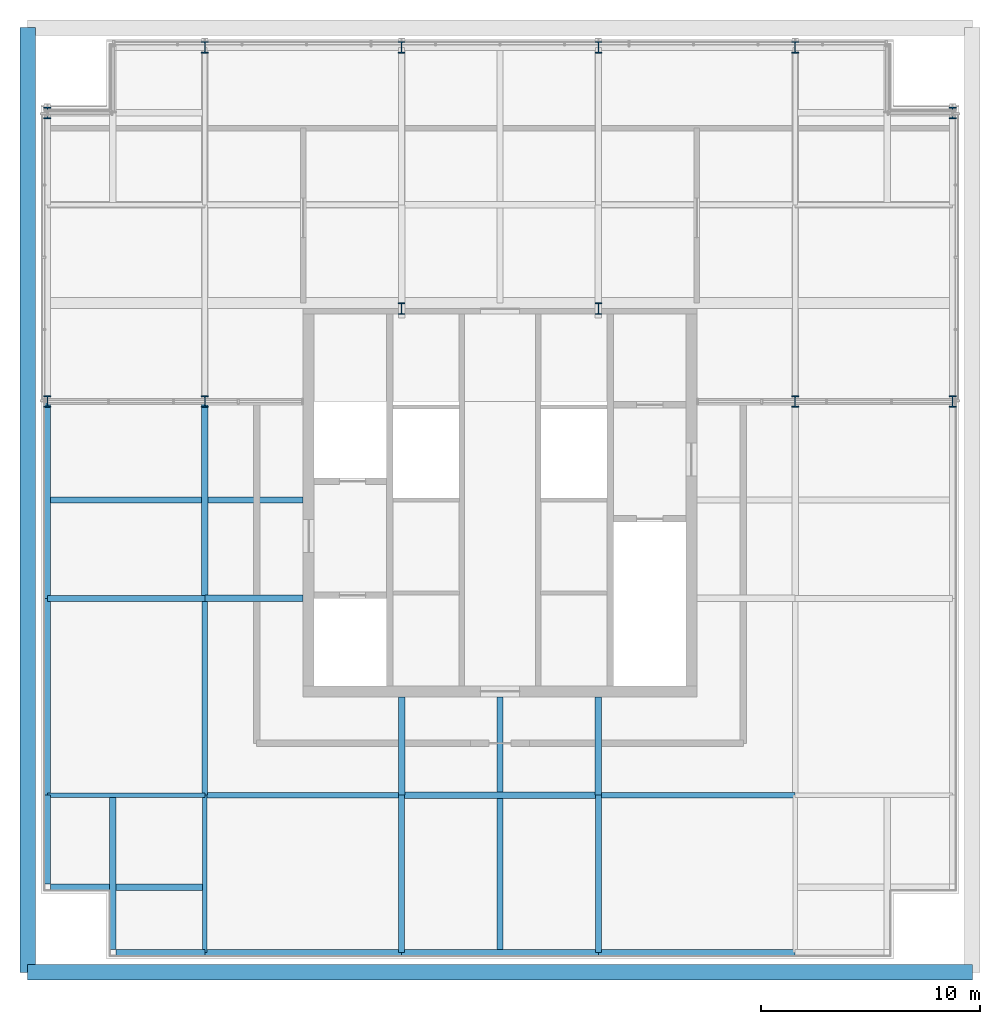
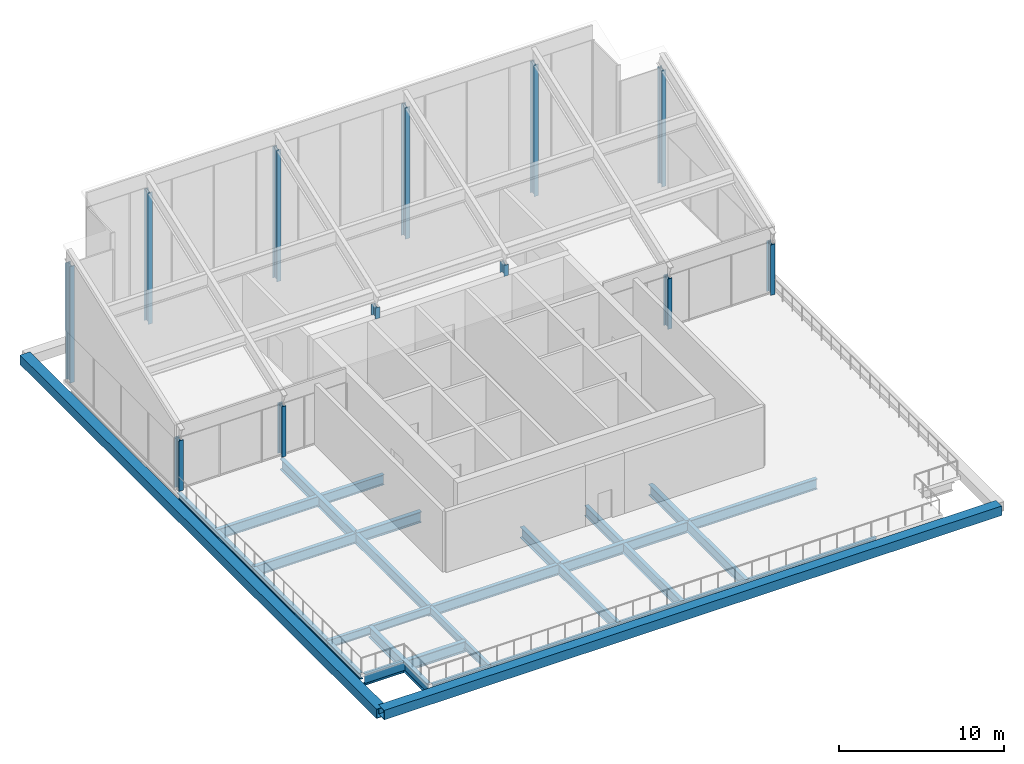
# One storey, part 1 of 10: 24 beams, 12 columns, 2 members.
"""IFC4 building model written with IfcOpenShell, lengths in metres."""

from ifc_helpers import new_model, si_unit, direction, frame, origin, origin_2d, place, context, subcontext, project, spatial, hollow_rectangle, i_section, extrude, material, material_profile, profile_set, type_object, element, save


model = new_model("IFC4")

# Units and contexts
model_context = context("Model", 3, precision=1e-05, world=origin(), true_north=direction((0.0, 1.0)))
body_context = subcontext(model_context, "Body", "Model", "MODEL_VIEW")
ifc_project = project(units=[si_unit("LENGTHUNIT", "METRE"), si_unit("AREAUNIT", "SQUARE_METRE"), si_unit("VOLUMEUNIT", "CUBIC_METRE"), si_unit("PLANEANGLEUNIT", "RADIAN"), si_unit("MASSUNIT", "GRAM", prefix="KILO")], contexts=[model_context])

# Site, building, storey
site_placement = place(None, origin())
site = spatial("IfcSite", under=ifc_project, at=site_placement, CompositionType="ELEMENT")
building_placement = place(site_placement, origin())
building = spatial("IfcBuilding", under=site, at=building_placement, Name="Malebo Sky Hospital", CompositionType="ELEMENT")
storey_placement = place(building_placement, frame((0.0, 0.0, 290.0)))
storey = spatial("IfcBuildingStorey", under=building, at=storey_placement, Name="RF", CompositionType="ELEMENT", Elevation=290.0)

# Columns
ifc_material_1 = material(Name="Steel S355", Category="steel")
ifc_material_profile_1 = material_profile(ifc_material_1, i_section(OverallWidth=0.305908203125, OverallDepth=0.52392578125, WebThickness=0.02099609375, FlangeThickness=0.0400390625, FilletRadius=0.027099609375, at=origin_2d()), Name="HEM 500")
ifc_profile_set_1 = profile_set([ifc_material_profile_1], Name="Steel S355")
column_type = type_object("IfcColumnType", Name="CROWN POST HEM 500", PredefinedType="COLUMN", material=ifc_profile_set_1)
column_1_placement = place(storey_placement, frame((39.300048828125, 66.5, 0.0), z_axis=(0.0, 0.0, 1.0), x_axis=(1.0, 0.0, 0.0)))
element("IfcColumn", 1, at=column_1_placement, inside=storey, type_object=column_type, Name="Crown post -20.7/+4.5", PredefinedType="COLUMN", context=body_context, shape_type="SweptSolid", body=[
    extrude(i_section(OverallWidth=0.305908203125, OverallDepth=0.52392578125, WebThickness=0.02099609375, FlangeThickness=0.0400390625, FilletRadius=0.027099609375, at=origin_2d()), origin(), (0.0, 0.0, 1.0), 3.730224609375),
])
column_2_placement = place(storey_placement, frame((39.300048828125, 79.699951171875, 0.0), z_axis=(0.0, 0.0, 1.0), x_axis=(1.0, 0.0, 0.0)))
element("IfcColumn", 2, at=column_2_placement, inside=storey, type_object=column_type, Name="Crown post -20.7/+17.7", PredefinedType="COLUMN", context=body_context, shape_type="SweptSolid", body=[
    extrude(i_section(OverallWidth=0.305908203125, OverallDepth=0.52392578125, WebThickness=0.02099609375, FlangeThickness=0.0400390625, FilletRadius=0.027099609375, at=origin_2d()), origin(), (0.0, 0.0, 1.0), 8.619140625),
])
column_3_placement = place(storey_placement, frame((80.699951171875, 66.5, 0.0), z_axis=(0.0, 0.0, 1.0), x_axis=(1.0, 0.0, 0.0)))
element("IfcColumn", 3, at=column_3_placement, inside=storey, type_object=column_type, Name="Crown post +20.7/+4.5", PredefinedType="COLUMN", context=body_context, shape_type="SweptSolid", body=[
    extrude(i_section(OverallWidth=0.305908203125, OverallDepth=0.52392578125, WebThickness=0.02099609375, FlangeThickness=0.0400390625, FilletRadius=0.027099609375, at=origin_2d()), origin(), (0.0, 0.0, 1.0), 3.730224609375),
])
column_4_placement = place(storey_placement, frame((80.699951171875, 79.699951171875, 0.0), z_axis=(0.0, 0.0, 1.0), x_axis=(1.0, 0.0, 0.0)))
element("IfcColumn", 4, at=column_4_placement, inside=storey, type_object=column_type, Name="Crown post +20.7/+17.7", PredefinedType="COLUMN", context=body_context, shape_type="SweptSolid", body=[
    extrude(i_section(OverallWidth=0.305908203125, OverallDepth=0.52392578125, WebThickness=0.02099609375, FlangeThickness=0.0400390625, FilletRadius=0.027099609375, at=origin_2d()), origin(), (0.0, 0.0, 1.0), 8.619140625),
])
column_5_placement = place(storey_placement, frame((46.5, 66.5, 0.0), z_axis=(0.0, 0.0, 1.0), x_axis=(1.0, 0.0, 0.0)))
element("IfcColumn", 5, at=column_5_placement, inside=storey, type_object=column_type, Name="Crown post -13.5/+4.5", PredefinedType="COLUMN", context=body_context, shape_type="SweptSolid", body=[
    extrude(i_section(OverallWidth=0.305908203125, OverallDepth=0.52392578125, WebThickness=0.02099609375, FlangeThickness=0.0400390625, FilletRadius=0.027099609375, at=origin_2d()), origin(), (0.0, 0.0, 1.0), 3.730224609375),
])
column_6_placement = place(storey_placement, frame((46.5, 82.699951171875, 0.0), z_axis=(0.0, 0.0, 1.0), x_axis=(1.0, 0.0, 0.0)))
element("IfcColumn", 6, at=column_6_placement, inside=storey, type_object=column_type, Name="Crown post -13.5/+20.7", PredefinedType="COLUMN", context=body_context, shape_type="SweptSolid", body=[
    extrude(i_section(OverallWidth=0.305908203125, OverallDepth=0.52392578125, WebThickness=0.02099609375, FlangeThickness=0.0400390625, FilletRadius=0.027099609375, at=origin_2d()), origin(), (0.0, 0.0, 1.0), 9.730224609375),
])
column_7_placement = place(storey_placement, frame((73.5, 66.5, 0.0), z_axis=(0.0, 0.0, 1.0), x_axis=(1.0, 0.0, 0.0)))
element("IfcColumn", 7, at=column_7_placement, inside=storey, type_object=column_type, Name="Crown post +13.5/+4.5", PredefinedType="COLUMN", context=body_context, shape_type="SweptSolid", body=[
    extrude(i_section(OverallWidth=0.305908203125, OverallDepth=0.52392578125, WebThickness=0.02099609375, FlangeThickness=0.0400390625, FilletRadius=0.027099609375, at=origin_2d()), origin(), (0.0, 0.0, 1.0), 3.730224609375),
])
column_8_placement = place(storey_placement, frame((73.5, 82.699951171875, 0.0), z_axis=(0.0, 0.0, 1.0), x_axis=(1.0, 0.0, 0.0)))
element("IfcColumn", 8, at=column_8_placement, inside=storey, type_object=column_type, Name="Crown post +13.5/+20.7", PredefinedType="COLUMN", context=body_context, shape_type="SweptSolid", body=[
    extrude(i_section(OverallWidth=0.305908203125, OverallDepth=0.52392578125, WebThickness=0.02099609375, FlangeThickness=0.0400390625, FilletRadius=0.027099609375, at=origin_2d()), origin(), (0.0, 0.0, 1.0), 9.730224609375),
])
column_9_placement = place(storey_placement, frame((55.5, 70.75, 4.5), z_axis=(0.0, 0.0, 1.0), x_axis=(1.0, 0.0, 0.0)))
element("IfcColumn", 9, at=column_9_placement, inside=storey, type_object=column_type, Name="Crown post -4.5/+8.8", PredefinedType="COLUMN", context=body_context, shape_type="SweptSolid", body=[
    extrude(i_section(OverallWidth=0.305908203125, OverallDepth=0.52392578125, WebThickness=0.02099609375, FlangeThickness=0.0400390625, FilletRadius=0.027099609375, at=origin_2d()), origin(), (0.0, 0.0, 1.0), 0.804443359375),
])
column_10_placement = place(storey_placement, frame((55.5, 82.699951171875, 0.0), z_axis=(0.0, 0.0, 1.0), x_axis=(1.0, 0.0, 0.0)))
element("IfcColumn", 10, at=column_10_placement, inside=storey, type_object=column_type, Name="Crown post -4.5/+20.7", PredefinedType="COLUMN", context=body_context, shape_type="SweptSolid", body=[
    extrude(i_section(OverallWidth=0.305908203125, OverallDepth=0.52392578125, WebThickness=0.02099609375, FlangeThickness=0.0400390625, FilletRadius=0.027099609375, at=origin_2d()), origin(), (0.0, 0.0, 1.0), 9.730224609375),
])
column_11_placement = place(storey_placement, frame((64.5, 70.75, 4.5), z_axis=(0.0, 0.0, 1.0), x_axis=(1.0, 0.0, 0.0)))
element("IfcColumn", 11, at=column_11_placement, inside=storey, type_object=column_type, Name="Crown post +4.5/+8.8", PredefinedType="COLUMN", context=body_context, shape_type="SweptSolid", body=[
    extrude(i_section(OverallWidth=0.305908203125, OverallDepth=0.52392578125, WebThickness=0.02099609375, FlangeThickness=0.0400390625, FilletRadius=0.027099609375, at=origin_2d()), origin(), (0.0, 0.0, 1.0), 0.804443359375),
])
column_12_placement = place(storey_placement, frame((64.5, 82.699951171875, 0.0), z_axis=(0.0, 0.0, 1.0), x_axis=(1.0, 0.0, 0.0)))
element("IfcColumn", 12, at=column_12_placement, inside=storey, type_object=column_type, Name="Crown post +4.5/+20.7", PredefinedType="COLUMN", context=body_context, shape_type="SweptSolid", body=[
    extrude(i_section(OverallWidth=0.305908203125, OverallDepth=0.52392578125, WebThickness=0.02099609375, FlangeThickness=0.0400390625, FilletRadius=0.027099609375, at=origin_2d()), origin(), (0.0, 0.0, 1.0), 9.730224609375),
])

# Beams
ifc_material_profile_2 = material_profile(ifc_material_1, i_section(OverallWidth=0.300048828125, OverallDepth=0.489990234375, WebThickness=0.011962890625, FlangeThickness=0.02294921875, FilletRadius=0.027099609375, at=origin_2d()), Name="HEA 500")
ifc_profile_set_2 = profile_set([ifc_material_profile_2], Name="Steel S355")
beam_type_1 = type_object("IfcBeamType", Name="EDGE BEAM HEA 500", PredefinedType="BEAM", material=ifc_profile_set_2)
beam_1_placement = place(storey_placement, frame((39.300048828125, 44.449951171875, -0.4951171875), z_axis=(0.0, 1.0, 0.0), x_axis=(-1.0, 0.0, 0.0)))
element("IfcBeam", 13, at=beam_1_placement, inside=storey, type_object=beam_type_1, Name="Beam 000 RF", PredefinedType="BEAM", context=body_context, shape_type="SweptSolid", body=[
    extrude(i_section(OverallWidth=0.300048828125, OverallDepth=0.489990234375, WebThickness=0.011962890625, FlangeThickness=0.02294921875, FilletRadius=0.027099609375, at=origin_2d()), origin(), (0.0, 0.0, 1.0), 4.050048828125),
])
for number, where, z_axis, x_axis, name in (
    (14, (39.300048828125, 48.5, -0.4951171875), (0.0, 1.0, 0.0), (-1.0, 0.0, 0.0), "Beam 001 RF"),
    (15, (39.300048828125, 57.5, -0.4951171875), (0.0, 1.0, 0.0), (-1.0, 0.0, 0.0), "Beam 002 RF"),
):
    element("IfcBeam", number, at=place(storey_placement, frame(where, z_axis=z_axis, x_axis=x_axis)), inside=storey, type_object=beam_type_1, Name=name, PredefinedType="BEAM", context=body_context, shape_type="SweptSolid", body=[
        extrude(i_section(OverallWidth=0.300048828125, OverallDepth=0.489990234375, WebThickness=0.011962890625, FlangeThickness=0.02294921875, FilletRadius=0.027099609375, at=origin_2d()), origin(), (0.0, 0.0, 1.0), 9.0),
    ])
beam_2_placement = place(storey_placement, frame((42.449951171875, 41.300048828125, -0.4951171875), z_axis=(1.0, 0.0, 0.0), x_axis=(0.0, 1.0, 0.0)))
element("IfcBeam", 16, at=beam_2_placement, inside=storey, type_object=beam_type_1, Name="Beam 034 RF", PredefinedType="BEAM", context=body_context, shape_type="SweptSolid", body=[
    extrude(i_section(OverallWidth=0.300048828125, OverallDepth=0.489990234375, WebThickness=0.011962890625, FlangeThickness=0.02294921875, FilletRadius=0.027099609375, at=origin_2d()), origin(), (0.0, 0.0, 1.0), 4.050048828125),
])
for number, where, z_axis, x_axis, name in (
    (17, (46.5, 41.300048828125, -0.4951171875), (1.0, 0.0, 0.0), (0.0, 1.0, 0.0), "Beam 035 RF"),
    (18, (55.5, 41.300048828125, -0.4951171875), (1.0, 0.0, 0.0), (0.0, 1.0, 0.0), "Beam 036 RF"),
    (19, (64.5, 41.300048828125, -0.4951171875), (1.0, 0.0, 0.0), (0.0, 1.0, 0.0), "Beam 037 RF"),
):
    element("IfcBeam", number, at=place(storey_placement, frame(where, z_axis=z_axis, x_axis=x_axis)), inside=storey, type_object=beam_type_1, Name=name, PredefinedType="BEAM", context=body_context, shape_type="SweptSolid", body=[
        extrude(i_section(OverallWidth=0.300048828125, OverallDepth=0.489990234375, WebThickness=0.011962890625, FlangeThickness=0.02294921875, FilletRadius=0.027099609375, at=origin_2d()), origin(), (0.0, 0.0, 1.0), 9.0),
    ])
ifc_material_profile_3 = material_profile(ifc_material_1, i_section(OverallWidth=0.300048828125, OverallDepth=0.800048828125, WebThickness=0.017578125, FlangeThickness=0.032958984375, FilletRadius=0.030029296875, at=origin_2d()), Name="HEB 800")
ifc_profile_set_3 = profile_set([ifc_material_profile_3], Name="Steel S355")
beam_type_2 = type_object("IfcBeamType", Name="FLOOR BEAM HEB 800", PredefinedType="BEAM", material=ifc_profile_set_3)
beam_3_placement = place(storey_placement, frame((42.300048828125, 41.449951171875, -0.64990234375), z_axis=(0.0, 1.0, 0.0), x_axis=(-1.0, 0.0, 0.0)))
element("IfcBeam", 20, at=beam_3_placement, inside=storey, type_object=beam_type_2, Name="Beam 005 RF", PredefinedType="BEAM", context=body_context, shape_type="SweptSolid", body=[
    extrude(i_section(OverallWidth=0.300048828125, OverallDepth=0.800048828125, WebThickness=0.017578125, FlangeThickness=0.032958984375, FilletRadius=0.030029296875, at=origin_2d()), origin(), (0.0, 0.0, 1.0), 7.050048828125),
])
for number, where, z_axis, x_axis, name in (
    (21, (55.5, 48.5, -0.64990234375), (0.0, 1.0, 0.0), (-1.0, 0.0, 0.0), "Beam 013 RF"),
    (22, (64.5, 48.5, -0.64990234375), (0.0, 1.0, 0.0), (-1.0, 0.0, 0.0), "Beam 019 RF"),
):
    element("IfcBeam", number, at=place(storey_placement, frame(where, z_axis=z_axis, x_axis=x_axis)), inside=storey, type_object=beam_type_2, Name=name, PredefinedType="BEAM", context=body_context, shape_type="SweptSolid", body=[
        extrude(i_section(OverallWidth=0.300048828125, OverallDepth=0.800048828125, WebThickness=0.017578125, FlangeThickness=0.032958984375, FilletRadius=0.030029296875, at=origin_2d()), origin(), (0.0, 0.0, 1.0), 4.5),
    ])
beam_4_placement = place(storey_placement, frame((39.449951171875, 44.300048828125, -0.64990234375), z_axis=(1.0, 0.0, 0.0), x_axis=(0.0, 1.0, 0.0)))
element("IfcBeam", 23, at=beam_4_placement, inside=storey, type_object=beam_type_2, Name="Beam 039 RF", PredefinedType="BEAM", context=body_context, shape_type="SweptSolid", body=[
    extrude(i_section(OverallWidth=0.300048828125, OverallDepth=0.800048828125, WebThickness=0.017578125, FlangeThickness=0.032958984375, FilletRadius=0.030029296875, at=origin_2d()), origin(), (0.0, 0.0, 1.0), 7.050048828125),
])
beam_5_placement = place(storey_placement, frame((46.5, 57.5, -0.64990234375), z_axis=(1.0, 0.0, 0.0), x_axis=(0.0, 1.0, 0.0)))
element("IfcBeam", 24, at=beam_5_placement, inside=storey, type_object=beam_type_2, Name="Beam 047 RF", PredefinedType="BEAM", context=body_context, shape_type="SweptSolid", body=[
    extrude(i_section(OverallWidth=0.300048828125, OverallDepth=0.800048828125, WebThickness=0.017578125, FlangeThickness=0.032958984375, FilletRadius=0.030029296875, at=origin_2d()), origin(), (0.0, 0.0, 1.0), 4.5),
])
ifc_material_profile_4 = material_profile(ifc_material_1, i_section(OverallWidth=0.262939453125, OverallDepth=0.7529296875, WebThickness=0.011474609375, FlangeThickness=0.01708984375, FilletRadius=0.01708984375, at=origin_2d()), Name="IPE 750x137")
ifc_profile_set_4 = profile_set([ifc_material_profile_4], Name="Steel S355")
beam_type_3 = type_object("IfcBeamType", Name="FLOOR BEAM IPE 750x137", PredefinedType="BEAM", material=ifc_profile_set_4)
beam_6_placement = place(storey_placement, frame((55.5, 41.300048828125, -0.62646484375), z_axis=(0.0, 1.0, 0.0), x_axis=(-1.0, 0.0, 0.0)))
element("IfcBeam", 25, at=beam_6_placement, inside=storey, type_object=beam_type_3, Name="Beam 012 RF", PredefinedType="BEAM", context=body_context, shape_type="SweptSolid", body=[
    extrude(i_section(OverallWidth=0.262939453125, OverallDepth=0.7529296875, WebThickness=0.011474609375, FlangeThickness=0.01708984375, FilletRadius=0.01708984375, at=origin_2d()), origin(), (0.0, 0.0, 1.0), 7.199951171875),
])
beam_7_placement = place(storey_placement, frame((60.0, 41.300048828125, -0.62646484375), z_axis=(0.0, 1.0, 0.0), x_axis=(-1.0, 0.0, 0.0)))
element("IfcBeam", 26, at=beam_7_placement, inside=storey, type_object=beam_type_3, Name="Beam 016 RF", PredefinedType="BEAM", context=body_context, shape_type="SweptSolid", body=[
    extrude(i_section(OverallWidth=0.262939453125, OverallDepth=0.7529296875, WebThickness=0.011474609375, FlangeThickness=0.01708984375, FilletRadius=0.01708984375, at=origin_2d()), origin(), (0.0, 0.0, 1.0), 11.699951171875),
])
for number, where, z_axis, x_axis, name in (
    (27, (64.5, 41.300048828125, -0.62646484375), (0.0, 1.0, 0.0), (-1.0, 0.0, 0.0), "Beam 018 RF"),
    (28, (39.300048828125, 57.5, -0.62646484375), (1.0, 0.0, 0.0), (0.0, 1.0, 0.0), "Beam 046 RF"),
):
    element("IfcBeam", number, at=place(storey_placement, frame(where, z_axis=z_axis, x_axis=x_axis)), inside=storey, type_object=beam_type_3, Name=name, PredefinedType="BEAM", context=body_context, shape_type="SweptSolid", body=[
        extrude(i_section(OverallWidth=0.262939453125, OverallDepth=0.7529296875, WebThickness=0.011474609375, FlangeThickness=0.01708984375, FilletRadius=0.01708984375, at=origin_2d()), origin(), (0.0, 0.0, 1.0), 7.199951171875),
    ])
beam_8_placement = place(storey_placement, frame((39.300048828125, 62.0, -0.62646484375), z_axis=(1.0, 0.0, 0.0), x_axis=(0.0, 1.0, 0.0)))
element("IfcBeam", 29, at=beam_8_placement, inside=storey, type_object=beam_type_3, Name="Beam 050 RF", PredefinedType="BEAM", context=body_context, shape_type="SweptSolid", body=[
    extrude(i_section(OverallWidth=0.262939453125, OverallDepth=0.7529296875, WebThickness=0.011474609375, FlangeThickness=0.01708984375, FilletRadius=0.01708984375, at=origin_2d()), origin(), (0.0, 0.0, 1.0), 11.699951171875),
])
ifc_material_profile_5 = material_profile(ifc_material_1, i_section(OverallWidth=0.26806640625, OverallDepth=0.77001953125, WebThickness=0.015625, FlangeThickness=0.025390625, FilletRadius=0.01708984375, at=origin_2d()), Name="IPE 750x196")
ifc_profile_set_5 = profile_set([ifc_material_profile_5], Name="Steel S355")
beam_type_4 = type_object("IfcBeamType", Name="FLOOR BEAM IPE 750x196", PredefinedType="BEAM", material=ifc_profile_set_5)
for number, where, z_axis, x_axis, name in (
    (30, (46.5, 48.5, -0.635009765625), (0.0, 1.0, 0.0), (-1.0, 0.0, 0.0), "Beam 008 RF"),
    (31, (46.5, 48.5, -0.635009765625), (1.0, 0.0, 0.0), (0.0, 1.0, 0.0), "Beam 042 RF"),
    (32, (64.5, 48.5, -0.635009765625), (1.0, 0.0, 0.0), (0.0, 1.0, 0.0), "Beam 044 RF"),
):
    element("IfcBeam", number, at=place(storey_placement, frame(where, z_axis=z_axis, x_axis=x_axis)), inside=storey, type_object=beam_type_4, Name=name, PredefinedType="BEAM", context=body_context, shape_type="SweptSolid", body=[
        extrude(i_section(OverallWidth=0.26806640625, OverallDepth=0.77001953125, WebThickness=0.015625, FlangeThickness=0.025390625, FilletRadius=0.01708984375, at=origin_2d()), origin(), (0.0, 0.0, 1.0), 9.0),
    ])
ifc_material_profile_6 = material_profile(ifc_material_1, i_section(OverallWidth=0.219970703125, OverallDepth=0.60009765625, WebThickness=0.011962890625, FlangeThickness=0.01904296875, FilletRadius=0.02392578125, at=origin_2d()), Name="IPE 600")
ifc_profile_set_6 = profile_set([ifc_material_profile_6], Name="Steel S355")
beam_type_5 = type_object("IfcBeamType", Name="FLOOR GIRDER IPE 600", PredefinedType="BEAM", material=ifc_profile_set_6)
for number, where, z_axis, x_axis, name in (
    (33, (46.5, 41.300048828125, -0.550048828125), (0.0, 1.0, 0.0), (-1.0, 0.0, 0.0), "Beam 007 RF"),
    (34, (39.300048828125, 48.5, -0.550048828125), (1.0, 0.0, 0.0), (0.0, 1.0, 0.0), "Beam 041 RF"),
):
    element("IfcBeam", number, at=place(storey_placement, frame(where, z_axis=z_axis, x_axis=x_axis)), inside=storey, type_object=beam_type_5, Name=name, PredefinedType="BEAM", context=body_context, shape_type="SweptSolid", body=[
        extrude(i_section(OverallWidth=0.219970703125, OverallDepth=0.60009765625, WebThickness=0.011962890625, FlangeThickness=0.01904296875, FilletRadius=0.02392578125, at=origin_2d()), origin(), (0.0, 0.0, 1.0), 7.199951171875),
    ])

# Members
ifc_material_2 = material(Name="Steel S460", Category="steel")
ifc_material_profile_7 = material_profile(ifc_material_2, hollow_rectangle(XDim=0.699951171875, YDim=0.699951171875, WallThickness=0.034912109375, at=origin_2d()), Name="BOX 700x700x35")
ifc_profile_set_7 = profile_set([ifc_material_profile_7], Name="Steel S460")
member_type = type_object("IfcMemberType", Name="MEGA TIE BOX 700x700x35", PredefinedType="CHORD", material=ifc_profile_set_7)
for number, where, z_axis, x_axis, name in (
    (35, (38.39990234375, 40.39990234375, -0.39990234375), (1.0, 0.0, 0.0), (0.0, 1.0, 0.0), "Mega tie DS RF"),
    (36, (38.39990234375, 83.60009765625, -0.39990234375), (0.0, -1.0, 0.0), (1.0, 0.0, 0.0), "Mega tie DW RF"),
):
    element("IfcMember", number, at=place(storey_placement, frame(where, z_axis=z_axis, x_axis=x_axis)), inside=storey, type_object=member_type, Name=name, PredefinedType="CHORD", context=body_context, shape_type="SweptSolid", body=[
        extrude(hollow_rectangle(XDim=0.699951171875, YDim=0.699951171875, WallThickness=0.034912109375, at=origin_2d()), origin(), (0.0, 0.0, 1.0), 43.2001953125),
    ])

# Beams
ifc_material_profile_8 = material_profile(ifc_material_1, i_section(OverallWidth=0.300048828125, OverallDepth=0.800048828125, WebThickness=0.017578125, FlangeThickness=0.032958984375, FilletRadius=0.030029296875, at=origin_2d()), Name="HEB 800")
ifc_profile_set_8 = profile_set([ifc_material_profile_8], Name="Steel S355")
beam_type_6 = type_object("IfcBeamType", Name="RING GIRDER HEB 800", PredefinedType="BEAM", material=ifc_profile_set_8)
for number, where, z_axis, x_axis, name in (
    (37, (46.5, 57.5, -0.64990234375), (0.0, 1.0, 0.0), (-1.0, 0.0, 0.0), "Beam 009 RF"),
    (38, (55.5, 48.5, -0.64990234375), (1.0, 0.0, 0.0), (0.0, 1.0, 0.0), "Beam 043 RF"),
):
    element("IfcBeam", number, at=place(storey_placement, frame(where, z_axis=z_axis, x_axis=x_axis)), inside=storey, type_object=beam_type_6, Name=name, PredefinedType="BEAM", context=body_context, shape_type="SweptSolid", body=[
        extrude(i_section(OverallWidth=0.300048828125, OverallDepth=0.800048828125, WebThickness=0.017578125, FlangeThickness=0.032958984375, FilletRadius=0.030029296875, at=origin_2d()), origin(), (0.0, 0.0, 1.0), 9.0),
    ])

save(model, "model.ifc")
